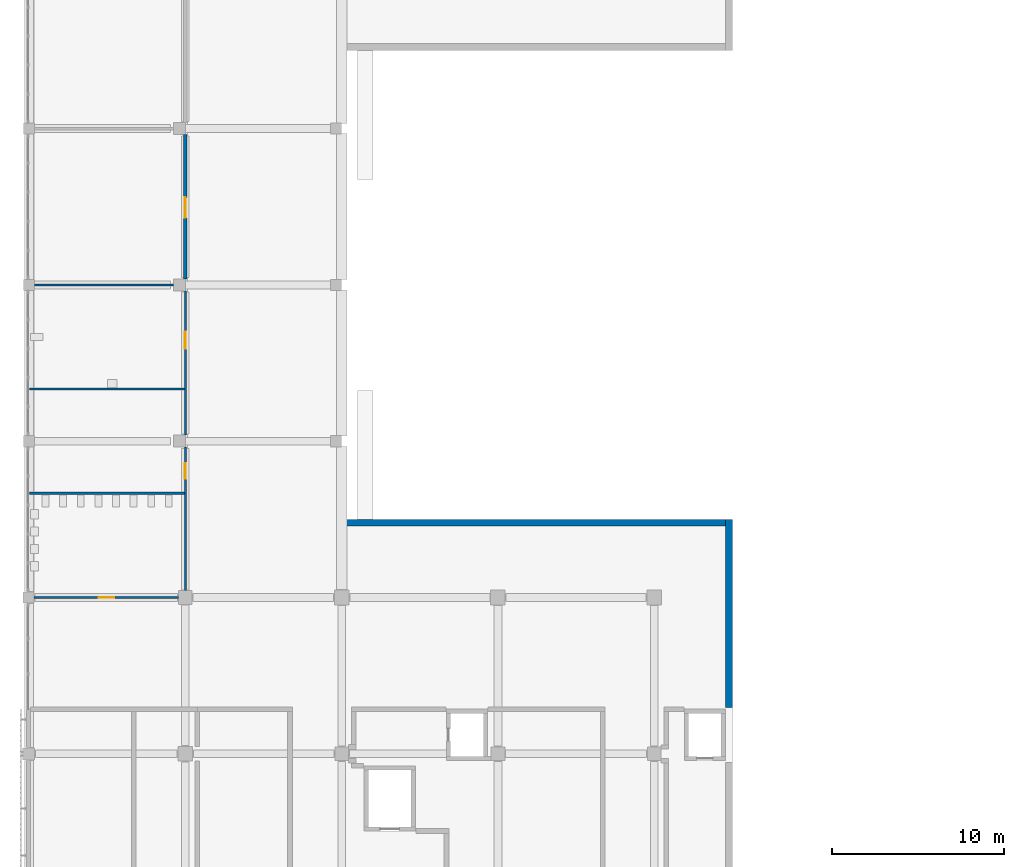
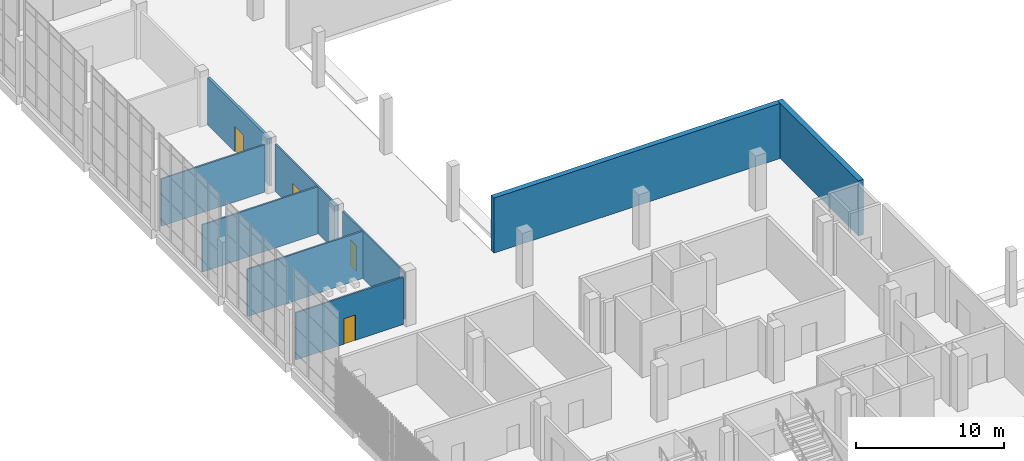
# One storey, part 76 of 126: 9 walls, 4 doors, 4 openings.
"""IFC4 building model written with IfcOpenShell, lengths in metres."""

from ifc_helpers import new_model, si_unit, direction, frame, frame_2d, origin, place, context, subcontext, project, spatial, rectangle, extrude, material, layer, layer_set, type_object, element, fill, save


model = new_model("IFC4")

# Units and contexts
model_context = context("Model", 3, precision=1e-05, world=origin(), true_north=direction((0.0, 1.0)))
body_context = subcontext(model_context, "Body", "Model", "MODEL_VIEW")
ifc_project = project(units=[si_unit("LENGTHUNIT", "METRE"), si_unit("AREAUNIT", "SQUARE_METRE"), si_unit("VOLUMEUNIT", "CUBIC_METRE"), si_unit("PLANEANGLEUNIT", "RADIAN"), si_unit("MASSUNIT", "GRAM", prefix="KILO")], contexts=[model_context])

# Site, building, storey
site_placement = place(None, origin())
site = spatial("IfcSite", under=ifc_project, at=site_placement, CompositionType="ELEMENT")
building_placement = place(site_placement, origin())
building = spatial("IfcBuilding", under=site, at=building_placement, Name="Shirokan Park Arena", CompositionType="ELEMENT")
storey_placement = place(building_placement, frame((0.0, 0.0, 6.3701171875)))
storey = spatial("IfcBuildingStorey", under=building, at=storey_placement, Name="L01", CompositionType="ELEMENT", Elevation=6.3701171875)

# Walls
ifc_material_1 = material(Name="Concrete C35", Category="concrete")
ifc_layer_1 = layer(ifc_material_1, 0.125)
ifc_layer_set_1 = layer_set([ifc_layer_1], Name="Concrete C35 125 mm")
wall_type_1 = type_object("IfcWallType", Name="Pavilion RC wall 125", PredefinedType="SOLIDWALL", material=ifc_layer_set_1)
for number, where, z_axis, x_axis, name in (
    (1, (0.030029296875, 42.466796875, 0.0), (0.0, 0.0, 1.0), (1.0, 0.0, 0.0), "Wet-area wall 125 L01"),
    (2, (0.030029296875, 48.533203125, 0.0), (0.0, 0.0, 1.0), (1.0, 0.0, 0.0), "Wet-area wall 125 L01"),
):
    element("IfcWall", number, at=place(storey_placement, frame(where, z_axis=z_axis, x_axis=x_axis)), inside=storey, type_object=wall_type_1, Name=name, PredefinedType="PARTITIONING", context=body_context, shape_type="SweptSolid", body=[
        extrude(rectangle(XDim=9.007568359375, YDim=0.125, at=frame_2d((4.50390625, 0.0))), origin(), (0.0, 0.0, 1.0), 3.89990234375),
    ])

# Wall, opening, door
wall_1_placement = place(storey_placement, frame((0.300048828125, 36.39990234375, 0.0), z_axis=(0.0, 0.0, 1.0), x_axis=(1.0, 0.0, 0.0)))
wall_1 = element("IfcWall", 3, at=wall_1_placement, inside=storey, type_object=wall_type_1, Name="Wet-area wall 125 L01", PredefinedType="PARTITIONING", context=body_context, shape_type="SweptSolid", body=[
    extrude(rectangle(XDim=8.39990234375, YDim=0.125, at=frame_2d((4.199951171875, 0.0))), origin(), (0.0, 0.0, 1.0), 3.89990234375),
])
opening_1_placement = place(wall_1_placement, frame((3.75, 0.0, 0.0)))
opening_1 = element("IfcOpeningElement", 4, at=opening_1_placement, cuts=wall_1, Name="Opening D-1048", PredefinedType="OPENING", context=body_context, shape_type="SweptSolid", body=[
    extrude(rectangle(XDim=0.89990234375, YDim=2.10009765625, at=frame_2d((0.449951171875, 1.050048828125))), frame((0.0, 0.072509765625, 0.0), z_axis=(0.0, -1.0, 0.0), x_axis=(1.0, 0.0, 0.0)), (0.0, 0.0, 1.0), 0.14501953125),
])
ifc_material_2 = material(Name="Timber door set, fire resisting", Category="wood")
door_type_1 = type_object("IfcDoorType", Name="Door 900 x 2100", OperationType="SINGLE_SWING_LEFT", PredefinedType="DOOR", material=ifc_material_2)
door_1_placement = place(opening_1_placement, origin())
door_1 = element("IfcDoor", 5, at=door_1_placement, inside=storey, type_object=door_type_1, Name="Door to Men's WC 1.11 D-1048", OperationType="SINGLE_SWING_LEFT", OverallHeight=2.10009765625, OverallWidth=0.89990234375, PredefinedType="DOOR", context=body_context, shape_type="SweptSolid", body=[
    extrude(rectangle(XDim=0.89990234375, YDim=2.10009765625, at=frame_2d((0.449951171875, 1.050048828125))), frame((0.0, 0.02490234375, 0.0), z_axis=(0.0, -1.0, 0.0), x_axis=(1.0, 0.0, 0.0)), (0.0, 0.0, 1.0), 0.050048828125),
])
fill(opening_1, door_1)

# Wall
wall_2_placement = place(storey_placement, frame((0.324951171875, 54.60009765625, 0.0), z_axis=(0.0, 0.0, 1.0), x_axis=(1.0, 0.0, 0.0)))
element("IfcWall", 6, at=wall_2_placement, inside=storey, type_object=wall_type_1, Name="Wet-area wall 125 L01", PredefinedType="PARTITIONING", context=body_context, shape_type="SweptSolid", body=[
    extrude(rectangle(XDim=8.074951171875, YDim=0.125, at=frame_2d((4.03759765625, 0.0))), origin(), (0.0, 0.0, 1.0), 3.89990234375),
])

# Wall, opening, door
wall_3_placement = place(storey_placement, frame((9.10009765625, 36.800048828125, 0.0), z_axis=(0.0, 0.0, 1.0), x_axis=(0.0, 1.0, 0.0)))
wall_3 = element("IfcWall", 7, at=wall_3_placement, inside=storey, type_object=wall_type_1, Name="Wet-area wall 125 L01", PredefinedType="PARTITIONING", context=body_context, shape_type="SweptSolid", body=[
    extrude(rectangle(XDim=8.349853515625, YDim=0.125, at=frame_2d((4.1748046875, 0.0))), origin(), (0.0, 0.0, 1.0), 3.89990234375),
])
opening_2_placement = place(wall_3_placement, frame((6.5166015625, 0.0, 0.0)))
opening_2 = element("IfcOpeningElement", 8, at=opening_2_placement, cuts=wall_3, Name="Opening D-1049", PredefinedType="OPENING", context=body_context, shape_type="SweptSolid", body=[
    extrude(rectangle(XDim=0.89990234375, YDim=2.10009765625, at=frame_2d((0.449951171875, 1.050048828125))), frame((0.0, 0.072509765625, 0.0), z_axis=(0.0, -1.0, 0.0), x_axis=(1.0, 0.0, 0.0)), (0.0, 0.0, 1.0), 0.14501953125),
])
door_2_placement = place(opening_2_placement, origin())
door_2 = element("IfcDoor", 9, at=door_2_placement, inside=storey, type_object=door_type_1, Name="Door to Women's WC 1.12 D-1049", OperationType="SINGLE_SWING_RIGHT", OverallHeight=2.10009765625, OverallWidth=0.89990234375, PredefinedType="DOOR", context=body_context, shape_type="SweptSolid", body=[
    extrude(rectangle(XDim=0.89990234375, YDim=2.10009765625, at=frame_2d((0.449951171875, 1.050048828125))), frame((0.0, 0.02490234375, 0.0), z_axis=(0.0, -1.0, 0.0), x_axis=(1.0, 0.0, 0.0)), (0.0, 0.0, 1.0), 0.050048828125),
])
fill(opening_2, door_2)

wall_4_placement = place(storey_placement, frame((9.10009765625, 45.85009765625, 0.0), z_axis=(0.0, 0.0, 1.0), x_axis=(0.0, 1.0, 0.0)))
wall_4 = element("IfcWall", 10, at=wall_4_placement, inside=storey, type_object=wall_type_1, Name="Wet-area wall 125 L01", PredefinedType="PARTITIONING", context=body_context, shape_type="SweptSolid", body=[
    extrude(rectangle(XDim=8.39990234375, YDim=0.125, at=frame_2d((4.199951171875, 0.0))), origin(), (0.0, 0.0, 1.0), 3.89990234375),
])
opening_3_placement = place(wall_4_placement, frame((5.033203125, 0.0, 0.0)))
opening_3 = element("IfcOpeningElement", 11, at=opening_3_placement, cuts=wall_4, Name="Opening D-1050", PredefinedType="OPENING", context=body_context, shape_type="SweptSolid", body=[
    extrude(rectangle(XDim=1.0, YDim=2.10009765625, at=frame_2d((0.5, 1.050048828125))), frame((0.0, 0.072509765625, 0.0), z_axis=(0.0, -1.0, 0.0), x_axis=(1.0, 0.0, 0.0)), (0.0, 0.0, 1.0), 0.14501953125),
])
door_type_2 = type_object("IfcDoorType", Name="Accessible WC door 1000 x 2100", OperationType="SINGLE_SWING_RIGHT", PredefinedType="DOOR", material=ifc_material_2)
door_3_placement = place(opening_3_placement, origin())
door_3 = element("IfcDoor", 12, at=door_3_placement, inside=storey, type_object=door_type_2, Name="Door to Accessible WC 1.13 D-1050", OperationType="SINGLE_SWING_RIGHT", OverallHeight=2.10009765625, OverallWidth=1.0, PredefinedType="DOOR", context=body_context, shape_type="SweptSolid", body=[
    extrude(rectangle(XDim=1.0, YDim=2.10009765625, at=frame_2d((0.5, 1.050048828125))), frame((0.0, 0.02490234375, 0.0), z_axis=(0.0, -1.0, 0.0), x_axis=(1.0, 0.0, 0.0)), (0.0, 0.0, 1.0), 0.050048828125),
])
fill(opening_3, door_3)

ifc_layer_2 = layer(ifc_material_1, 0.199951171875)
ifc_layer_set_2 = layer_set([ifc_layer_2], Name="Concrete C35 200 mm")
wall_type_2 = type_object("IfcWallType", Name="Pavilion RC wall 200", PredefinedType="SOLIDWALL", material=ifc_layer_set_2)
wall_5_placement = place(storey_placement, frame((9.10009765625, 54.949951171875, 0.0), z_axis=(0.0, 0.0, 1.0), x_axis=(0.0, 1.0, 0.0)))
wall_5 = element("IfcWall", 13, at=wall_5_placement, inside=storey, type_object=wall_type_2, Name="Corridor wall 200 L01", PredefinedType="PARTITIONING", context=body_context, shape_type="SweptSolid", body=[
    extrude(rectangle(XDim=8.400146484375, YDim=0.199951171875, at=frame_2d((4.2001953125, 0.0))), origin(), (0.0, 0.0, 1.0), 3.89990234375),
])
opening_4_placement = place(wall_5_placement, frame((3.550048828125, 0.0, 0.0)))
opening_4 = element("IfcOpeningElement", 14, at=opening_4_placement, cuts=wall_5, Name="Opening D-1051", PredefinedType="OPENING", context=body_context, shape_type="SweptSolid", body=[
    extrude(rectangle(XDim=1.199951171875, YDim=2.10009765625, at=frame_2d((0.60009765625, 1.050048828125))), frame((0.0, 0.10986328125, 0.0), z_axis=(0.0, -1.0, 0.0), x_axis=(1.0, 0.0, 0.0)), (0.0, 0.0, 1.0), 0.219970703125),
])
door_type_3 = type_object("IfcDoorType", Name="Medical room door 1200 x 2100", OperationType="SINGLE_SWING_LEFT", PredefinedType="DOOR", material=ifc_material_2)
door_4_placement = place(opening_4_placement, origin())
door_4 = element("IfcDoor", 15, at=door_4_placement, inside=storey, type_object=door_type_3, Name="Door to First Aid Room 1.14 D-1051", OperationType="SINGLE_SWING_RIGHT", OverallHeight=2.10009765625, OverallWidth=1.199951171875, PredefinedType="DOOR", context=body_context, shape_type="SweptSolid", body=[
    extrude(rectangle(XDim=1.199951171875, YDim=2.10009765625, at=frame_2d((0.60009765625, 1.050048828125))), frame((0.0, 0.02490234375, 0.0), z_axis=(0.0, -1.0, 0.0), x_axis=(1.0, 0.0, 0.0)), (0.0, 0.0, 1.0), 0.050048828125),
])
fill(opening_4, door_4)

# Walls
ifc_layer_3 = layer(ifc_material_1, 0.39990234375)
ifc_layer_set_3 = layer_set([ifc_layer_3], Name="Concrete C35 400 mm")
wall_type_3 = type_object("IfcWallType", Name="RC flank wall 400", PredefinedType="SHEAR", material=ifc_layer_set_3)
wall_6_placement = place(storey_placement, frame((40.75, 40.949951171875, 0.0), z_axis=(0.0, 0.0, 1.0), x_axis=(0.0, -1.0, 0.0)))
element("IfcWall", 16, at=wall_6_placement, inside=storey, type_object=wall_type_3, Name="Flank wall S1 L01", PredefinedType="SHEAR", context=body_context, shape_type="SweptSolid", body=[
    extrude(rectangle(XDim=10.958984375, YDim=0.39990234375, at=frame_2d((5.4794921875, 0.0))), origin(), (0.0, 0.0, 1.0), 4.5498046875),
])
wall_7_placement = place(storey_placement, frame((40.949951171875, 40.75, 0.0), z_axis=(0.0, 0.0, 1.0), x_axis=(-1.0, 0.0, 0.0)))
element("IfcWall", 17, at=wall_7_placement, inside=storey, type_object=wall_type_3, Name="Flank wall W1 L01", PredefinedType="SHEAR", context=body_context, shape_type="SweptSolid", body=[
    extrude(rectangle(XDim=22.75, YDim=0.39990234375, at=frame_2d((11.375, 0.0))), origin(), (0.0, 0.0, 1.0), 4.5498046875),
])

save(model, "model.ifc")
